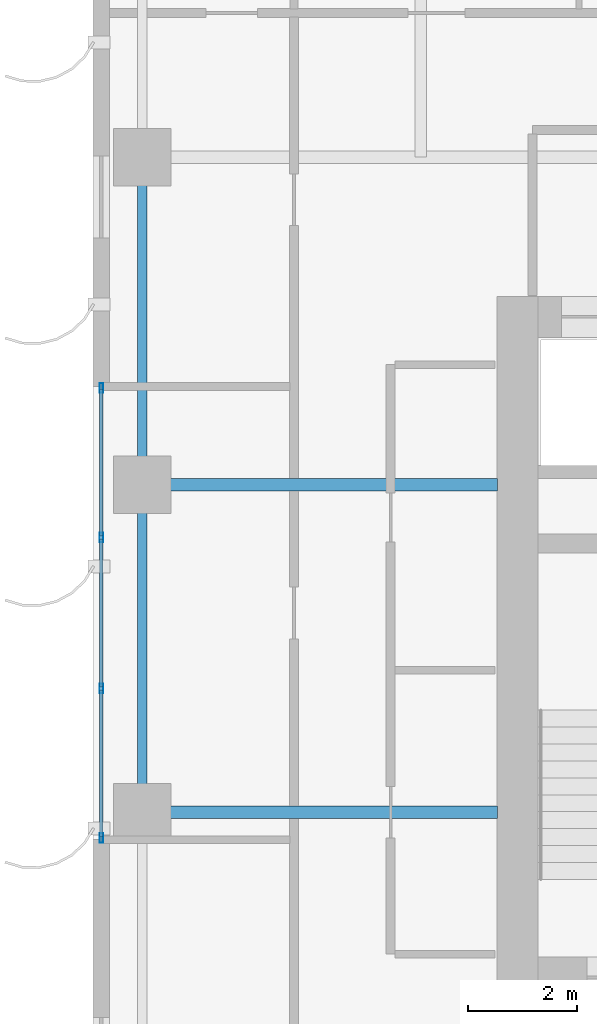
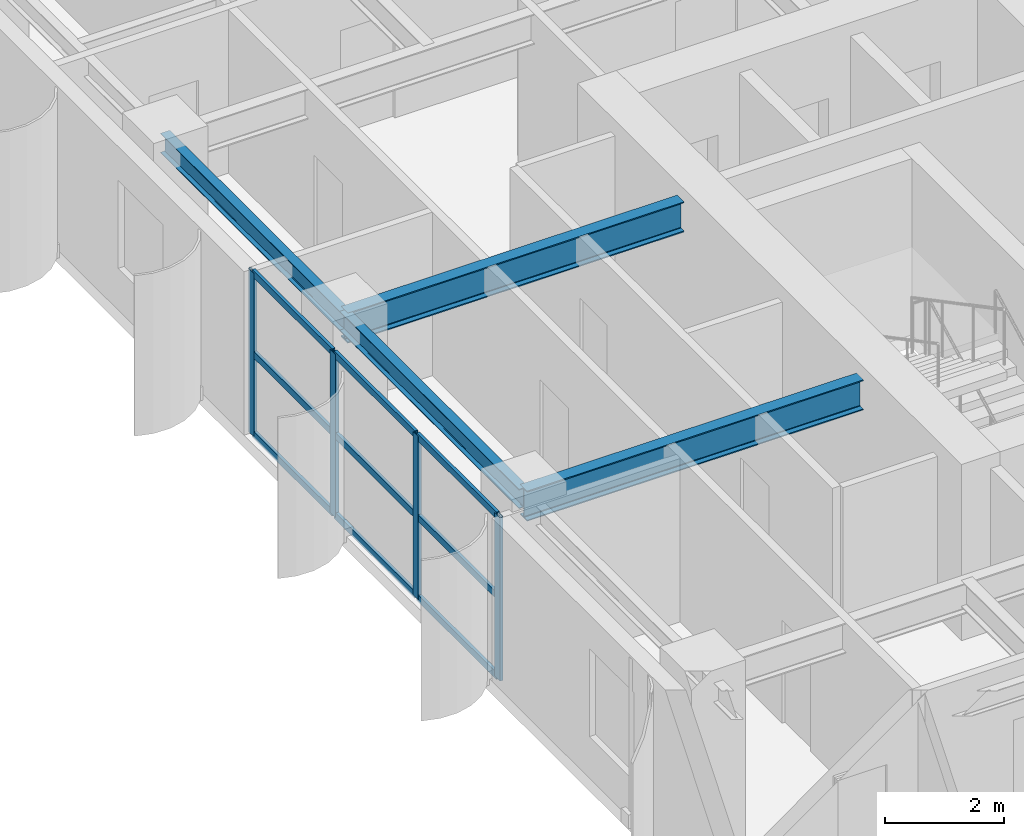
# One storey, part 5 of 21: 13 members, 4 beams, 1 element without a shape of its own.
"""IFC4 building model written with IfcOpenShell, lengths in metres."""

from ifc_helpers import new_model, si_unit, direction, frame, origin, origin_2d, place, context, subcontext, project, spatial, hollow_rectangle, i_section, extrude, source, transform, mapped, material, layer, layer_set, material_profile, profile_set, type_object, element, aggregate, save


model = new_model("IFC4")

# Units and contexts
model_context = context("Model", 3, precision=1e-05, world=origin(), true_north=direction((0.0, 1.0)))
body_context = subcontext(model_context, "Body", "Model", "MODEL_VIEW")
ifc_project = project(units=[si_unit("LENGTHUNIT", "METRE"), si_unit("AREAUNIT", "SQUARE_METRE"), si_unit("VOLUMEUNIT", "CUBIC_METRE"), si_unit("PLANEANGLEUNIT", "RADIAN"), si_unit("MASSUNIT", "GRAM", prefix="KILO")], contexts=[model_context])

# Site, building, storey
site_placement = place(None, origin())
site = spatial("IfcSite", under=ifc_project, at=site_placement, CompositionType="ELEMENT")
building_placement = place(site_placement, origin())
building = spatial("IfcBuilding", under=site, at=building_placement, Name="Khoralis Quay Care Tower", CompositionType="ELEMENT")
storey_placement = place(building_placement, frame((0.0, 0.0, 112.5)))
storey = spatial("IfcBuildingStorey", under=building, at=storey_placement, Name="L29", CompositionType="ELEMENT", Elevation=112.5)

# Beams
ifc_material_1 = material(Name="Steel S355", Category="steel")
ifc_material_profile_1 = material_profile(ifc_material_1, i_section(OverallWidth=0.179931640625, OverallDepth=0.39990234375, WebThickness=0.008544921875, FlangeThickness=0.013427734375, FilletRadius=0.02099609375, at=origin_2d()), Name="Steel S355")
ifc_profile_set_1 = profile_set([ifc_material_profile_1], Name="Steel S355")
beam_type_1 = type_object("IfcBeamType", Name="BM-IPE400", PredefinedType="SPANDREL", material=ifc_profile_set_1)
shared_shape_1 = source(origin(), body_context, "Body", "SweptSolid", [
    extrude(i_section(OverallWidth=0.179931640625, OverallDepth=0.39990234375, WebThickness=0.008544921875, FlangeThickness=0.013427734375, FilletRadius=0.02099609375, at=origin_2d()), origin(), (0.0, 0.0, 1.0), 6.0),
])
for number, where, z_axis, x_axis, name in (
    (1, (0.89990234375, 18.0, 3.139892578125), (0.0, 1.0, 0.0), (-1.0, 0.0, 0.0), "BM-TSP-L29-13"),
    (2, (0.89990234375, 24.0, 3.139892578125), (0.0, 1.0, 0.0), (-1.0, 0.0, 0.0), "BM-TSP-L29-14"),
):
    element("IfcBeam", number, at=place(storey_placement, frame(where, z_axis=z_axis, x_axis=x_axis)), inside=storey, type_object=beam_type_1, Name=name, PredefinedType="SPANDREL", context=body_context, shape_type="MappedRepresentation", body=[
        mapped(shared_shape_1, transform((0.0, 0.0, 0.0), scale=1.0)),
    ])
ifc_material_profile_2 = material_profile(ifc_material_1, i_section(OverallWidth=0.22998046875, OverallDepth=0.616943359375, WebThickness=0.01318359375, FlangeThickness=0.022216796875, FilletRadius=0.01806640625, at=origin_2d()), Name="Steel S355")
ifc_profile_set_2 = profile_set([ifc_material_profile_2], Name="Steel S355")
beam_type_2 = type_object("IfcBeamType", Name="BM-W610X140", PredefinedType="BEAM", material=ifc_profile_set_2)
shared_shape_2 = source(origin(), body_context, "Body", "SweptSolid", [
    extrude(i_section(OverallWidth=0.22998046875, OverallDepth=0.616943359375, WebThickness=0.01318359375, FlangeThickness=0.022216796875, FilletRadius=0.01806640625, at=origin_2d()), origin(), (0.0, 0.0, 1.0), 6.502197265625),
])
for number, where, z_axis, x_axis, name in (
    (3, (0.89990234375, 18.0, 3.031494140625), (1.0, 0.0, 0.0), (0.0, 1.0, 0.0), "BM-TGXW-L29-180"),
    (4, (0.89990234375, 24.0, 3.031494140625), (1.0, 0.0, 0.0), (0.0, 1.0, 0.0), "BM-TGXW-L29-240"),
):
    element("IfcBeam", number, at=place(storey_placement, frame(where, z_axis=z_axis, x_axis=x_axis)), inside=storey, type_object=beam_type_2, Name=name, PredefinedType="BEAM", context=body_context, shape_type="MappedRepresentation", body=[
        mapped(shared_shape_2, transform((0.0, 0.0, 0.0), scale=1.0)),
    ])

# Curtain wall, members
ifc_material_2 = material(Name="Pale anodised aluminium", Category="aluminium")
ifc_layer = layer(ifc_material_2, 0.169921875)
ifc_layer_set = layer_set([ifc_layer], Name="Pale anodised aluminium")
curtain_wall_type = type_object("IfcCurtainWallType", Name="CW-SYS-Z2", PredefinedType="NOTDEFINED", material=ifc_layer_set)
curtain_wall_placement = place(storey_placement, origin())
curtain_wall = element("IfcCurtainWall", 5, at=curtain_wall_placement, inside=storey, type_object=curtain_wall_type, Name="L29 Unitised Curtain Wall CW-L29-P1-E15", PredefinedType="NOTDEFINED")
ifc_material_profile_3 = material_profile(ifc_material_2, hollow_rectangle(XDim=0.06494140625, YDim=0.179931640625, WallThickness=0.00390625, at=origin_2d()), Name="Pale anodised aluminium")
ifc_profile_set_3 = profile_set([ifc_material_profile_3], Name="Pale anodised aluminium")
member_type_1 = type_object("IfcMemberType", Name="CW-MUL-180", PredefinedType="MULLION", material=ifc_profile_set_3)
shared_shape_3 = source(origin(), body_context, "Body", "SweptSolid", [
    extrude(hollow_rectangle(XDim=0.06494140625, YDim=0.179931640625, WallThickness=0.00390625, at=origin_2d()), origin(), (0.0, 0.0, 1.0), 3.340087890625),
])
member_1_placement = place(storey_placement, frame((0.14990234375, 25.77001953125, 0.0), z_axis=(0.0, 0.0, 1.0), x_axis=(1.0, 0.0, 0.0)))
member_1 = element("IfcMember", 6, at=member_1_placement, type_object=member_type_1, Name="CW2 mullion 1", PredefinedType="MULLION", context=body_context, shape_type="MappedRepresentation", body=[
    mapped(shared_shape_3, transform((0.0, 0.0, 0.0), scale=1.0)),
])
member_2_placement = place(storey_placement, frame((0.14990234375, 23.033447265625, 0.0), z_axis=(0.0, 0.0, 1.0), x_axis=(1.0, 0.0, 0.0)))
member_2 = element("IfcMember", 7, at=member_2_placement, type_object=member_type_1, Name="CW2 mullion 2", PredefinedType="MULLION", context=body_context, shape_type="MappedRepresentation", body=[
    mapped(shared_shape_3, transform((0.0, 0.0, 0.0), scale=1.0)),
])
member_3_placement = place(storey_placement, frame((0.14990234375, 20.2666015625, 0.0), z_axis=(0.0, 0.0, 1.0), x_axis=(1.0, 0.0, 0.0)))
member_3 = element("IfcMember", 8, at=member_3_placement, type_object=member_type_1, Name="CW2 mullion 3", PredefinedType="MULLION", context=body_context, shape_type="MappedRepresentation", body=[
    mapped(shared_shape_3, transform((0.0, 0.0, 0.0), scale=1.0)),
])
member_4_placement = place(storey_placement, frame((0.14990234375, 17.530029296875, 0.0), z_axis=(0.0, 0.0, 1.0), x_axis=(1.0, 0.0, 0.0)))
member_4 = element("IfcMember", 9, at=member_4_placement, type_object=member_type_1, Name="CW2 mullion 4", PredefinedType="MULLION", context=body_context, shape_type="MappedRepresentation", body=[
    mapped(shared_shape_3, transform((0.0, 0.0, 0.0), scale=1.0)),
])
ifc_material_profile_4 = material_profile(ifc_material_2, hollow_rectangle(XDim=0.06005859375, YDim=0.139892578125, WallThickness=0.00390625, at=origin_2d()), Name="Pale anodised aluminium")
ifc_profile_set_4 = profile_set([ifc_material_profile_4], Name="Pale anodised aluminium")
member_type_2 = type_object("IfcMemberType", Name="CW-TRN-140", PredefinedType="USERDEFINED", material=ifc_profile_set_4)
shared_shape_4 = source(origin(), body_context, "Body", "SweptSolid", [
    extrude(hollow_rectangle(XDim=0.06005859375, YDim=0.139892578125, WallThickness=0.00390625, at=origin_2d()), origin(), (0.0, 0.0, 1.0), 2.6767578125),
])
member_5_placement = place(storey_placement, frame((0.14990234375, 25.739990234375, 0.030029296875), z_axis=(0.0, -1.0, 0.0), x_axis=(1.0, 0.0, 0.0)))
member_5 = element("IfcMember", 10, at=member_5_placement, type_object=member_type_2, Name="CW2 transom 1.1", ObjectType="TRANSOM", PredefinedType="USERDEFINED", context=body_context, shape_type="MappedRepresentation", body=[
    mapped(shared_shape_4, transform((0.0, 0.0, 0.0), scale=1.0)),
])
member_6_placement = place(storey_placement, frame((0.14990234375, 25.739990234375, 1.669921875), z_axis=(0.0, -1.0, 0.0), x_axis=(1.0, 0.0, 0.0)))
member_6 = element("IfcMember", 11, at=member_6_placement, type_object=member_type_2, Name="CW2 transom 1.2", ObjectType="TRANSOM", PredefinedType="USERDEFINED", context=body_context, shape_type="MappedRepresentation", body=[
    mapped(shared_shape_4, transform((0.0, 0.0, 0.0), scale=1.0)),
])
member_7_placement = place(storey_placement, frame((0.14990234375, 25.739990234375, 3.31005859375), z_axis=(0.0, -1.0, 0.0), x_axis=(1.0, 0.0, 0.0)))
member_7 = element("IfcMember", 12, at=member_7_placement, type_object=member_type_2, Name="CW2 transom 1.3", ObjectType="TRANSOM", PredefinedType="USERDEFINED", context=body_context, shape_type="MappedRepresentation", body=[
    mapped(shared_shape_4, transform((0.0, 0.0, 0.0), scale=1.0)),
])
shared_shape_5 = source(origin(), body_context, "Body", "SweptSolid", [
    extrude(hollow_rectangle(XDim=0.06005859375, YDim=0.139892578125, WallThickness=0.00390625, at=origin_2d()), origin(), (0.0, 0.0, 1.0), 2.676513671875),
])
member_8_placement = place(storey_placement, frame((0.14990234375, 20.236572265625, 0.030029296875), z_axis=(0.0, -1.0, 0.0), x_axis=(1.0, 0.0, 0.0)))
member_8 = element("IfcMember", 13, at=member_8_placement, type_object=member_type_2, Name="CW2 transom 3.1", ObjectType="TRANSOM", PredefinedType="USERDEFINED", context=body_context, shape_type="MappedRepresentation", body=[
    mapped(shared_shape_5, transform((0.0, 0.0, 0.0), scale=1.0)),
])
member_9_placement = place(storey_placement, frame((0.14990234375, 20.236572265625, 1.669921875), z_axis=(0.0, -1.0, 0.0), x_axis=(1.0, 0.0, 0.0)))
member_9 = element("IfcMember", 14, at=member_9_placement, type_object=member_type_2, Name="CW2 transom 3.2", ObjectType="TRANSOM", PredefinedType="USERDEFINED", context=body_context, shape_type="MappedRepresentation", body=[
    mapped(shared_shape_5, transform((0.0, 0.0, 0.0), scale=1.0)),
])
member_10_placement = place(storey_placement, frame((0.14990234375, 20.236572265625, 3.31005859375), z_axis=(0.0, -1.0, 0.0), x_axis=(1.0, 0.0, 0.0)))
member_10 = element("IfcMember", 15, at=member_10_placement, type_object=member_type_2, Name="CW2 transom 3.3", ObjectType="TRANSOM", PredefinedType="USERDEFINED", context=body_context, shape_type="MappedRepresentation", body=[
    mapped(shared_shape_5, transform((0.0, 0.0, 0.0), scale=1.0)),
])
shared_shape_6 = source(origin(), body_context, "Body", "SweptSolid", [
    extrude(hollow_rectangle(XDim=0.06005859375, YDim=0.139892578125, WallThickness=0.00390625, at=origin_2d()), origin(), (0.0, 0.0, 1.0), 2.706787109375),
])
member_11_placement = place(storey_placement, frame((0.14990234375, 23.00341796875, 0.030029296875), z_axis=(0.0, -1.0, 0.0), x_axis=(1.0, 0.0, 0.0)))
member_11 = element("IfcMember", 16, at=member_11_placement, type_object=member_type_2, Name="CW2 transom 2.1", ObjectType="TRANSOM", PredefinedType="USERDEFINED", context=body_context, shape_type="MappedRepresentation", body=[
    mapped(shared_shape_6, transform((0.0, 0.0, 0.0), scale=1.0)),
])
member_12_placement = place(storey_placement, frame((0.14990234375, 23.00341796875, 1.669921875), z_axis=(0.0, -1.0, 0.0), x_axis=(1.0, 0.0, 0.0)))
member_12 = element("IfcMember", 17, at=member_12_placement, type_object=member_type_2, Name="CW2 transom 2.2", ObjectType="TRANSOM", PredefinedType="USERDEFINED", context=body_context, shape_type="MappedRepresentation", body=[
    mapped(shared_shape_6, transform((0.0, 0.0, 0.0), scale=1.0)),
])
member_13_placement = place(storey_placement, frame((0.14990234375, 23.00341796875, 3.31005859375), z_axis=(0.0, -1.0, 0.0), x_axis=(1.0, 0.0, 0.0)))
member_13 = element("IfcMember", 18, at=member_13_placement, type_object=member_type_2, Name="CW2 transom 2.3", ObjectType="TRANSOM", PredefinedType="USERDEFINED", context=body_context, shape_type="MappedRepresentation", body=[
    mapped(shared_shape_6, transform((0.0, 0.0, 0.0), scale=1.0)),
])
aggregate(curtain_wall, [member_1, member_2, member_3, member_4, member_5, member_6, member_7, member_11, member_12, member_13, member_8, member_9, member_10])

save(model, "model.ifc")
